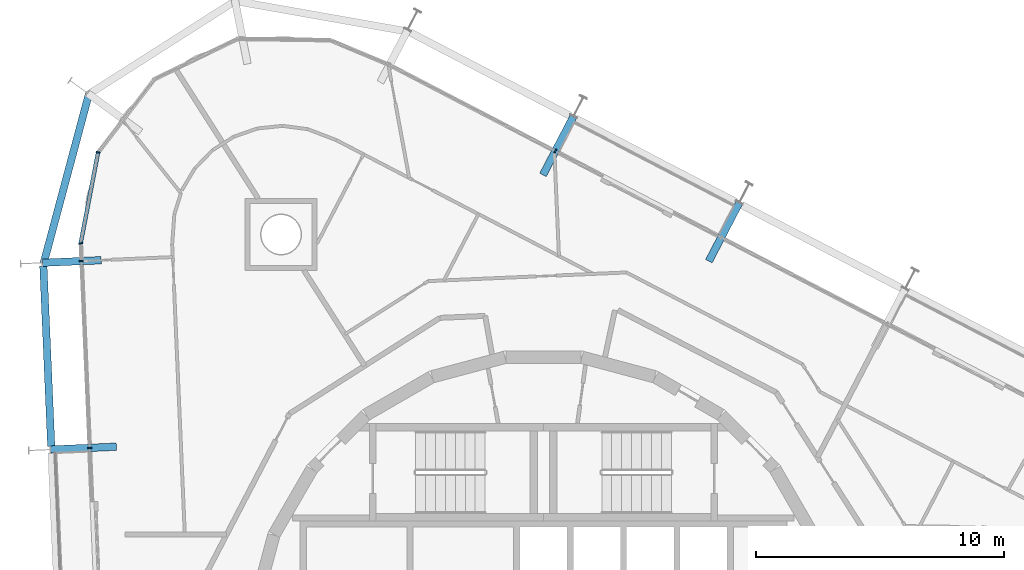
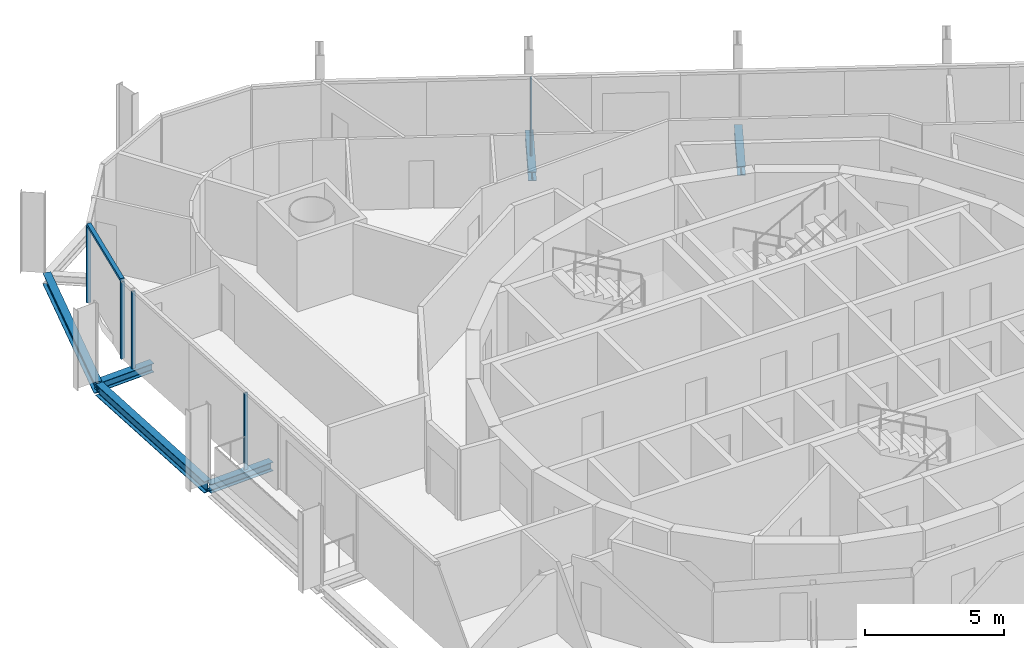
# One storey, part 6 of 17: 6 beams, 6 members, 3 elements without a shape of their own.
"""IFC4 building model written with IfcOpenShell, lengths in metres."""

from ifc_helpers import new_model, si_unit, direction, frame, origin, origin_2d, place, context, subcontext, project, spatial, rectangle, i_section, extrude, material, layer, layer_set, material_profile, profile_set, type_object, element, aggregate, save


model = new_model("IFC4")

# Units and contexts
model_context = context("Model", 3, precision=1e-05, world=origin(), true_north=direction((0.0, 1.0)))
body_context = subcontext(model_context, "Body", "Model", "MODEL_VIEW")
ifc_project = project(units=[si_unit("LENGTHUNIT", "METRE"), si_unit("AREAUNIT", "SQUARE_METRE"), si_unit("VOLUMEUNIT", "CUBIC_METRE"), si_unit("PLANEANGLEUNIT", "RADIAN"), si_unit("MASSUNIT", "GRAM", prefix="KILO")], contexts=[model_context])

# Site, building, storey
site_placement = place(None, origin())
site = spatial("IfcSite", under=ifc_project, at=site_placement, CompositionType="ELEMENT")
building_placement = place(site_placement, origin())
building = spatial("IfcBuilding", under=site, at=building_placement, Name="Spindle Arch Residences", CompositionType="ELEMENT")
storey_placement = place(building_placement, frame((0.0, 0.0, 244.199951171875)))
storey = spatial("IfcBuildingStorey", under=building, at=storey_placement, Name="L62", CompositionType="ELEMENT", Elevation=244.199951171875)

# Curtain wall, member
ifc_material_1 = material(Name="Aluminium bronze unitised frame with tinted glass", Category="aluminium")
ifc_layer_1 = layer(ifc_material_1, 0.159912109375)
ifc_layer_set_1 = layer_set([ifc_layer_1], Name="CW-C typical residential unitised wall")
curtain_wall_type_1 = type_object("IfcCurtainWallType", Name="CW-C typical residential unitised wall", PredefinedType="NOTDEFINED", material=ifc_layer_set_1)
curtain_wall_1_placement = place(storey_placement, origin())
curtain_wall_1 = element("IfcCurtainWall", 1, at=curtain_wall_1_placement, inside=storey, type_object=curtain_wall_type_1, Name="CW-C L62 run 2", PredefinedType="NOTDEFINED")
ifc_material_2 = material(Name="Aluminium bronze anodised mullion", Category="aluminium")
ifc_material_profile_1 = material_profile(ifc_material_2, rectangle(XDim=0.159912109375, YDim=0.06005859375, at=origin_2d()), Name="MU 60x160")
ifc_profile_set_1 = profile_set([ifc_material_profile_1], Name="Aluminium bronze anodised mullion")
member_type_1 = type_object("IfcMemberType", Name="Bronze mullion 60x160", PredefinedType="MULLION", material=ifc_profile_set_1)
member_1_placement = place(storey_placement, frame((0.4794921875, 19.94677734375, -0.3798828125), z_axis=(0.0, 0.0, 1.0), x_axis=(-0.461748613235, -0.887010833178, 0.0)))
member_1 = element("IfcMember", 2, at=member_1_placement, type_object=member_type_1, Name="CW-C mullion 08", PredefinedType="MULLION", context=body_context, shape_type="SweptSolid", body=[
    extrude(rectangle(XDim=0.159912109375, YDim=0.06005859375, at=origin_2d()), origin(), (0.0, 0.0, 1.0), 3.3798828125),
])
aggregate(curtain_wall_1, [member_1])

# Curtain wall, members
ifc_material_3 = material(Name="Aluminium bronze unitised frame with tinted glass", Category="aluminium")
ifc_layer_2 = layer(ifc_material_3, 0.159912109375)
ifc_layer_set_2 = layer_set([ifc_layer_2], Name="CW-D corner wall on the fillet arcs")
curtain_wall_type_2 = type_object("IfcCurtainWallType", Name="CW-D corner wall on the fillet arcs", PredefinedType="NOTDEFINED", material=ifc_layer_set_2)
curtain_wall_2_placement = place(storey_placement, origin())
curtain_wall_2 = element("IfcCurtainWall", 3, at=curtain_wall_2_placement, inside=storey, type_object=curtain_wall_type_2, Name="CW-D L62 run 3", PredefinedType="NOTDEFINED")
member_2_placement = place(storey_placement, frame((-17.93994140625, 19.896240234375, -0.3798828125), z_axis=(0.0, 0.0, 1.0), x_axis=(0.982178070104, -0.187952756314, 0.0)))
member_2 = element("IfcMember", 4, at=member_2_placement, type_object=member_type_1, Name="CW-D mullion 04", PredefinedType="MULLION", context=body_context, shape_type="SweptSolid", body=[
    extrude(rectangle(XDim=0.159912109375, YDim=0.06005859375, at=origin_2d()), origin(), (0.0, 0.0, 1.0), 3.3798828125),
])
member_3_placement = place(storey_placement, frame((-18.640380859375, 16.236083984375, -0.3798828125), z_axis=(0.0, 0.0, 1.0), x_axis=(0.999048221582, 0.043619387365, 0.0)))
member_3 = element("IfcMember", 5, at=member_3_placement, type_object=member_type_1, Name="CW-D mullion 05", PredefinedType="MULLION", context=body_context, shape_type="SweptSolid", body=[
    extrude(rectangle(XDim=0.159912109375, YDim=0.06005859375, at=origin_2d()), origin(), (0.0, 0.0, 1.0), 3.3798828125),
])

curtain_wall_3_placement = place(storey_placement, origin())
curtain_wall_3 = element("IfcCurtainWall", 6, at=curtain_wall_3_placement, inside=storey, type_object=curtain_wall_type_1, Name="CW-C L62 run 4", PredefinedType="NOTDEFINED")
member_4_placement = place(storey_placement, frame((-18.60888671875, 15.518310546875, -0.3798828125), z_axis=(0.0, 0.0, 1.0), x_axis=(0.999048221582, 0.043619387365, 0.0)))
member_4 = element("IfcMember", 7, at=member_4_placement, type_object=member_type_1, Name="CW-C mullion 12", PredefinedType="MULLION", context=body_context, shape_type="SweptSolid", body=[
    extrude(rectangle(XDim=0.159912109375, YDim=0.06005859375, at=origin_2d()), origin(), (0.0, 0.0, 1.0), 3.3798828125),
])
member_5_placement = place(storey_placement, frame((-18.280517578125, 7.995361328125, -0.3798828125), z_axis=(0.0, 0.0, 1.0), x_axis=(0.999048221582, 0.043619387365, 0.0)))
member_5 = element("IfcMember", 8, at=member_5_placement, type_object=member_type_1, Name="CW-C mullion 13", PredefinedType="MULLION", context=body_context, shape_type="SweptSolid", body=[
    extrude(rectangle(XDim=0.159912109375, YDim=0.06005859375, at=origin_2d()), origin(), (0.0, 0.0, 1.0), 3.3798828125),
])
aggregate(curtain_wall_3, [member_4, member_5])

# Member
ifc_material_4 = material(Name="Aluminium bronze anodised transom", Category="aluminium")
ifc_material_profile_2 = material_profile(ifc_material_4, rectangle(XDim=0.159912109375, YDim=0.1201171875, at=origin_2d()), Name="TR 120x160")
ifc_profile_set_2 = profile_set([ifc_material_profile_2], Name="Aluminium bronze anodised transom")
member_type_2 = type_object("IfcMemberType", Name="Bronze transom 120x160", PredefinedType="USERDEFINED", material=ifc_profile_set_2)
member_6_placement = place(storey_placement, frame((-17.945556640625, 19.866943359375, 3.06005859375), z_axis=(-0.187953386096, -0.982177949587, 0.0), x_axis=(0.982177949587, -0.187953386096, 0.0)))
member_6 = element("IfcMember", 9, at=member_6_placement, type_object=member_type_2, Name="CW-D transom 04", ObjectType="TRANSOM", PredefinedType="USERDEFINED", context=body_context, shape_type="SweptSolid", body=[
    extrude(rectangle(XDim=0.159912109375, YDim=0.1201171875, at=origin_2d()), origin(), (0.0, 0.0, 1.0), 3.6669921875),
])

aggregate(curtain_wall_2, [member_2, member_6, member_3])

# Beams
ifc_material_5 = material(Name="Steel S460ML, intumescent coating R 120", Category="steel")
ifc_material_profile_3 = material_profile(ifc_material_5, i_section(OverallWidth=0.300048828125, OverallDepth=0.5, WebThickness=0.014404296875, FlangeThickness=0.028076171875, FilletRadius=0.027099609375, at=origin_2d()), Name="HEB 500")
ifc_profile_set_3 = profile_set([ifc_material_profile_3], Name="Steel S460ML, intumescent coating R 120")
beam_type_1 = type_object("IfcBeamType", Name="Exoskeleton edge beam HEB 500", PredefinedType="BEAM", material=ifc_profile_set_3)
beam_1_placement = place(storey_placement, frame((-18.298583984375, 22.28076171875, -0.6298828125), z_axis=(-0.25832557076, -0.966057917255, 0.0), x_axis=(0.966057917255, -0.25832557076, 0.0)))
element("IfcBeam", 10, at=beam_1_placement, inside=storey, type_object=beam_type_1, Name="Exoskeleton edge beam 12", PredefinedType="BEAM", context=body_context, shape_type="SweptSolid", body=[
    extrude(i_section(OverallWidth=0.300048828125, OverallDepth=0.5, WebThickness=0.014404296875, FlangeThickness=0.028076171875, FilletRadius=0.027099609375, at=origin_2d()), origin(), (0.0, 0.0, 1.0), 7.105224609375),
])
beam_2_placement = place(storey_placement, frame((-20.141845703125, 15.3212890625, -0.6298828125), z_axis=(0.043622301665, -0.999048094337, 0.0), x_axis=(0.999048094337, 0.043622301665, 0.0)))
element("IfcBeam", 11, at=beam_2_placement, inside=storey, type_object=beam_type_1, Name="Exoskeleton edge beam 13", PredefinedType="BEAM", context=body_context, shape_type="SweptSolid", body=[
    extrude(i_section(OverallWidth=0.300048828125, OverallDepth=0.5, WebThickness=0.014404296875, FlangeThickness=0.028076171875, FilletRadius=0.027099609375, at=origin_2d()), origin(), (0.0, 0.0, 1.0), 7.27001953125),
])
ifc_material_6 = material(Name="Steel S460ML, intumescent coating R 120", Category="steel")
ifc_material_profile_4 = material_profile(ifc_material_6, i_section(OverallWidth=0.300048828125, OverallDepth=0.389892578125, WebThickness=0.010986328125, FlangeThickness=0.01904296875, FilletRadius=0.027099609375, at=origin_2d()), Name="HEA 400")
ifc_profile_set_4 = profile_set([ifc_material_profile_4], Name="Steel S460ML, intumescent coating R 120")
beam_type_2 = type_object("IfcBeamType", Name="Floor outrigger HEA 400", PredefinedType="BEAM", material=ifc_profile_set_4)
for number, where, z_axis, x_axis, name in (
    (12, (7.883544921875, 17.8623046875, -0.574951171875), (-0.461747195222, -0.887011571348, 0.0), (0.887011571348, -0.461747195222, 0.0), "Floor outrigger 8"),
    (13, (1.204345703125, 21.33935546875, -0.574951171875), (-0.461747195222, -0.887011571348, 0.0), (0.887011571348, -0.461747195222, 0.0), "Floor outrigger 9"),
):
    element("IfcBeam", number, at=place(storey_placement, frame(where, z_axis=z_axis, x_axis=x_axis)), inside=storey, type_object=beam_type_2, Name=name, PredefinedType="BEAM", context=body_context, shape_type="SweptSolid", body=[
        extrude(i_section(OverallWidth=0.300048828125, OverallDepth=0.389892578125, WebThickness=0.010986328125, FlangeThickness=0.01904296875, FilletRadius=0.027099609375, at=origin_2d()), origin(), (0.0, 0.0, 1.0), 2.64990234375),
    ])
beam_3_placement = place(storey_placement, frame((-20.177490234375, 15.44970703125, -0.574951171875), z_axis=(0.999047575201, 0.043634189397, 0.0), x_axis=(-0.043634189397, 0.999047575201, 0.0)))
element("IfcBeam", 14, at=beam_3_placement, inside=storey, type_object=beam_type_2, Name="Floor outrigger 13", PredefinedType="BEAM", context=body_context, shape_type="SweptSolid", body=[
    extrude(i_section(OverallWidth=0.300048828125, OverallDepth=0.389892578125, WebThickness=0.010986328125, FlangeThickness=0.01904296875, FilletRadius=0.027099609375, at=origin_2d()), origin(), (0.0, 0.0, 1.0), 2.36669921875),
])
beam_4_placement = place(storey_placement, frame((-19.84912109375, 7.9267578125, -0.574951171875), z_axis=(0.999046049411, 0.043669109869, 0.0), x_axis=(-0.043669109869, 0.999046049411, 0.0)))
element("IfcBeam", 15, at=beam_4_placement, inside=storey, type_object=beam_type_2, Name="Floor outrigger 14", PredefinedType="BEAM", context=body_context, shape_type="SweptSolid", body=[
    extrude(i_section(OverallWidth=0.300048828125, OverallDepth=0.389892578125, WebThickness=0.010986328125, FlangeThickness=0.01904296875, FilletRadius=0.027099609375, at=origin_2d()), origin(), (0.0, 0.0, 1.0), 2.64990234375),
])

save(model, "model.ifc")
